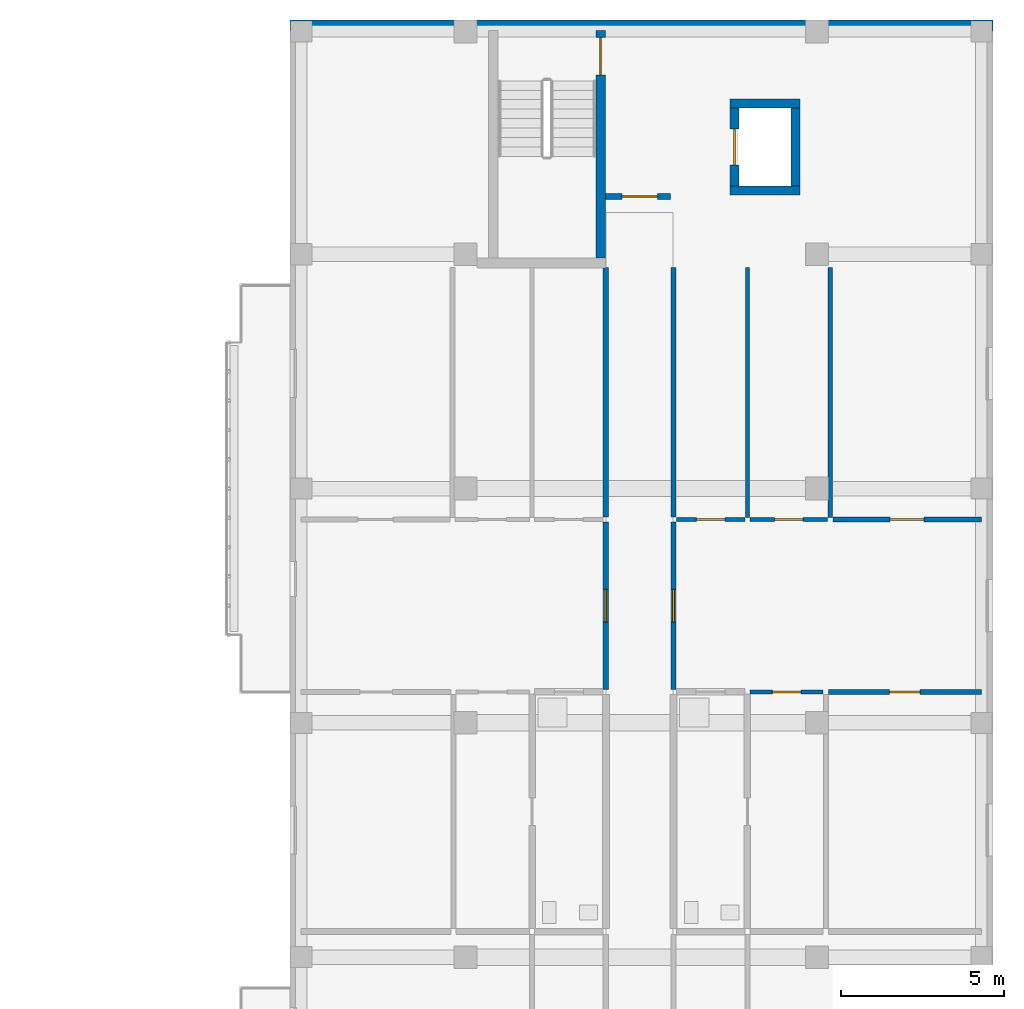
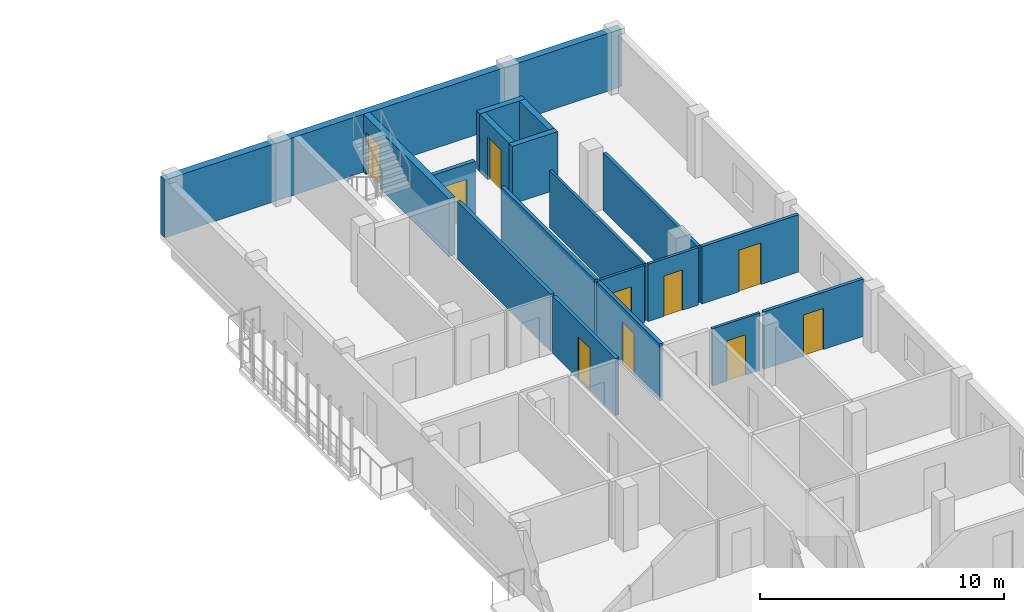
# One storey, part 36 of 51: 18 walls, 10 doors, 10 openings.
"""IFC4 building model written with IfcOpenShell, lengths in metres."""

from ifc_helpers import new_model, si_unit, derived_unit, direction, frame, frame_2d, origin, place, context, subcontext, project, spatial, rectangle, extrude, material, layer, layer_set, type_object, element, fill, save


model = new_model("IFC4")

# Units and contexts
model_context = context("Model", 3, precision=1e-05, world=origin(), true_north=direction((0.0, 1.0)))
body_context = subcontext(model_context, "Body", "Model", "MODEL_VIEW")
ifc_project = project(units=[si_unit("LENGTHUNIT", "METRE"), si_unit("AREAUNIT", "SQUARE_METRE"), si_unit("VOLUMEUNIT", "CUBIC_METRE"), si_unit("PLANEANGLEUNIT", "RADIAN"), si_unit("MASSUNIT", "GRAM", prefix="KILO"), derived_unit("THERMALTRANSMITTANCEUNIT", [(si_unit("MASSUNIT", "GRAM", prefix="KILO"), 1), (si_unit("TIMEUNIT", "SECOND"), -3), (si_unit("THERMODYNAMICTEMPERATUREUNIT", "KELVIN"), -1)])], contexts=[model_context])

# Site, building, storey
site_placement = place(None, origin())
site = spatial("IfcSite", under=ifc_project, at=site_placement, CompositionType="ELEMENT")
building_placement = place(site_placement, origin())
building = spatial("IfcBuilding", under=site, at=building_placement, Name="Ochrekiln Boulevard Commons", CompositionType="ELEMENT")
storey_placement = place(building_placement, frame((0.0, 0.0, 15.22509765625)))
storey = spatial("IfcBuildingStorey", under=building, at=storey_placement, Name="L04", CompositionType="ELEMENT", Elevation=15.22509765625)

# Wall
ifc_material_1 = material(Name="Iron-spot brown clinker brick masonry ASTM C216 Grade SW", Category="masonry")
ifc_layer_1 = layer(ifc_material_1, 0.340087890625)
ifc_layer_set_1 = layer_set([ifc_layer_1], Name="Iron-spot brown clinker brick masonry ASTM C216 Grade SW")
wall_type_1 = type_object("IfcWallType", Name="WL-EXT-IRON-340", PredefinedType="SOLIDWALL", material=ifc_layer_set_1)
wall_1_placement = place(storey_placement, frame((151.199951171875, 118.6298828125, 0.0), z_axis=(0.0, 0.0, 1.0), x_axis=(1.0, 0.0, 0.0)))
element("IfcWall", 1, at=wall_1_placement, inside=storey, type_object=wall_type_1, Name="Block B L04 N Exterior Wall", PredefinedType="SOLIDWALL", context=body_context, shape_type="SweptSolid", body=[
    extrude(rectangle(XDim=21.60009765625, YDim=0.340087890625, at=frame_2d((10.800048828125, 0.0))), origin(), (0.0, 0.0, 1.0), 2.889892578125),
])

# Wall, opening, door
ifc_material_2 = material(Name="Fire-rated Type X gypsum board on steel studs", Category="steel")
ifc_layer_2 = layer(ifc_material_2, 0.1650390625)
ifc_layer_set_2 = layer_set([ifc_layer_2], Name="Fire-rated Type X gypsum board on steel studs")
wall_type_2 = type_object("IfcWallType", Name="WL-PT-CORR-165", PredefinedType="PARTITIONING", material=ifc_layer_set_2)
wall_2_placement = place(storey_placement, frame((160.909912109375, 98.22998046875, 0.0), z_axis=(0.0, 0.0, 1.0), x_axis=(0.0, 1.0, 0.0)))
wall_2 = element("IfcWall", 2, at=wall_2_placement, inside=storey, type_object=wall_type_2, Name="L04 Interior Wall W-PC165", PredefinedType="PARTITIONING", context=body_context, shape_type="SweptSolid", body=[
    extrude(rectangle(XDim=5.14013671875, YDim=0.1650390625, at=frame_2d((2.570068359375, 0.0))), origin(), (0.0, 0.0, 1.0), 2.869873046875),
])
opening_1_placement = place(wall_2_placement, frame((2.06494140625, 0.0, 0.0)))
opening_1 = element("IfcOpeningElement", 3, at=opening_1_placement, cuts=wall_2, Name="Opening D-L04-588", PredefinedType="OPENING", context=body_context, shape_type="SweptSolid", body=[
    extrude(rectangle(XDim=1.010009765625, YDim=2.110107421875, at=frame_2d((0.5048828125, 1.05517578125))), frame((0.0, 0.092529296875, 0.0), z_axis=(0.0, -1.0, 0.0), x_axis=(1.0, 0.0, 0.0)), (0.0, 0.0, 1.0), 0.18505859375),
])
ifc_material_3 = material(Name="Solid core architectural oak door leaf")
door_type_1 = type_object("IfcDoorType", Name="DR-INT-APT-101", OperationType="NOTDEFINED", PredefinedType="DOOR", material=ifc_material_3)
door_1_placement = place(opening_1_placement, origin())
door_1 = element("IfcDoor", 4, at=door_1_placement, inside=storey, type_object=door_type_1, Name="L04 Interior Door to Two-Bedroom Apartment Living Room", OperationType="SINGLE_SWING_RIGHT", OverallHeight=2.110107421875, OverallWidth=1.010009765625, PredefinedType="DOOR", context=body_context, shape_type="SweptSolid", body=[
    extrude(rectangle(XDim=1.010009765625, YDim=2.110107421875, at=frame_2d((0.5048828125, 1.05517578125))), frame((0.0, 0.02490234375, 0.0), z_axis=(0.0, -1.0, 0.0), x_axis=(1.0, 0.0, 0.0)), (0.0, 0.0, 1.0), 0.050048828125),
])
fill(opening_1, door_1)

# Wall
wall_3_placement = place(storey_placement, frame((160.909912109375, 103.530029296875, 0.0), z_axis=(0.0, 0.0, 1.0), x_axis=(0.0, 1.0, 0.0)))
element("IfcWall", 5, at=wall_3_placement, inside=storey, type_object=wall_type_2, Name="L04 Interior Wall W-PC165", PredefinedType="PARTITIONING", context=body_context, shape_type="SweptSolid", body=[
    extrude(rectangle(XDim=7.669921875, YDim=0.1650390625, at=frame_2d((3.8349609375, 0.0))), origin(), (0.0, 0.0, 1.0), 2.869873046875),
])

# Wall, opening, door
wall_4_placement = place(storey_placement, frame((162.989990234375, 98.22998046875, 0.0), z_axis=(0.0, 0.0, 1.0), x_axis=(0.0, 1.0, 0.0)))
wall_4 = element("IfcWall", 6, at=wall_4_placement, inside=storey, type_object=wall_type_2, Name="L04 Interior Wall W-PC165", PredefinedType="PARTITIONING", context=body_context, shape_type="SweptSolid", body=[
    extrude(rectangle(XDim=5.14013671875, YDim=0.1650390625, at=frame_2d((2.570068359375, 0.0))), origin(), (0.0, 0.0, 1.0), 2.869873046875),
])
opening_2_placement = place(wall_4_placement, frame((2.06494140625, 0.0, 0.0)))
opening_2 = element("IfcOpeningElement", 7, at=opening_2_placement, cuts=wall_4, Name="Opening D-L04-590", PredefinedType="OPENING", context=body_context, shape_type="SweptSolid", body=[
    extrude(rectangle(XDim=1.010009765625, YDim=2.110107421875, at=frame_2d((0.5048828125, 1.05517578125))), frame((0.0, 0.092529296875, 0.0), z_axis=(0.0, -1.0, 0.0), x_axis=(1.0, 0.0, 0.0)), (0.0, 0.0, 1.0), 0.18505859375),
])
door_2_placement = place(opening_2_placement, frame((1.010009765625, 0.0, 0.0), z_axis=(0.0, 0.0, 1.0), x_axis=(-1.0, 0.0, 0.0)))
door_2 = element("IfcDoor", 8, at=door_2_placement, inside=storey, type_object=door_type_1, Name="L04 Interior Door to Two-Bedroom Apartment Living Room", OperationType="SINGLE_SWING_RIGHT", OverallHeight=2.110107421875, OverallWidth=1.010009765625, PredefinedType="DOOR", context=body_context, shape_type="SweptSolid", body=[
    extrude(rectangle(XDim=1.010009765625, YDim=2.110107421875, at=frame_2d((0.5048828125, 1.05517578125))), frame((0.0, 0.02490234375, 0.0), z_axis=(0.0, -1.0, 0.0), x_axis=(1.0, 0.0, 0.0)), (0.0, 0.0, 1.0), 0.050048828125),
])
fill(opening_2, door_2)

# Wall
wall_5_placement = place(storey_placement, frame((162.989990234375, 103.530029296875, 0.0), z_axis=(0.0, 0.0, 1.0), x_axis=(0.0, 1.0, 0.0)))
element("IfcWall", 9, at=wall_5_placement, inside=storey, type_object=wall_type_2, Name="L04 Interior Wall W-PC165", PredefinedType="PARTITIONING", context=body_context, shape_type="SweptSolid", body=[
    extrude(rectangle(XDim=7.669921875, YDim=0.1650390625, at=frame_2d((3.8349609375, 0.0))), origin(), (0.0, 0.0, 1.0), 2.869873046875),
])

# Wall, opening, door
ifc_layer_3 = layer(ifc_material_2, 0.18994140625)
ifc_layer_set_3 = layer_set([ifc_layer_3], Name="Fire-rated Type X gypsum board on steel studs")
wall_type_3 = type_object("IfcWallType", Name="WL-PT-LBY-190", PredefinedType="PARTITIONING", material=ifc_layer_set_3)
wall_6_placement = place(storey_placement, frame((160.89990234375, 113.3798828125, 0.0), z_axis=(0.0, 0.0, 1.0), x_axis=(1.0, 0.0, 0.0)))
wall_6 = element("IfcWall", 10, at=wall_6_placement, inside=storey, type_object=wall_type_3, Name="L04 Interior Wall W-PL190", PredefinedType="PARTITIONING", context=body_context, shape_type="SweptSolid", body=[
    extrude(rectangle(XDim=2.0, YDim=0.18994140625, at=frame_2d((1.0, 0.0))), origin(), (0.0, 0.0, 1.0), 2.869873046875),
])
opening_3_placement = place(wall_6_placement, frame((0.5, 0.0, 0.0)))
opening_3 = element("IfcOpeningElement", 11, at=opening_3_placement, cuts=wall_6, Name="Opening D-L04-585", PredefinedType="OPENING", context=body_context, shape_type="SweptSolid", body=[
    extrude(rectangle(XDim=1.10009765625, YDim=2.1201171875, at=frame_2d((0.550048828125, 1.06005859375))), frame((0.0, 0.10498046875, 0.0), z_axis=(0.0, -1.0, 0.0), x_axis=(1.0, 0.0, 0.0)), (0.0, 0.0, 1.0), 0.2099609375),
])
ifc_material_4 = material(Name="Hollow metal fire-rated steel door assembly", Category="steel")
door_type_2 = type_object("IfcDoorType", Name="DR-LOBBY-60", OperationType="NOTDEFINED", PredefinedType="DOOR", material=ifc_material_4)
door_3_placement = place(opening_3_placement, origin())
door_3 = element("IfcDoor", 12, at=door_3_placement, inside=storey, type_object=door_type_2, Name="L04 Interior Door to Fire Service Access Elevator Lobby", OperationType="SINGLE_SWING_LEFT", OverallHeight=2.1201171875, OverallWidth=1.10009765625, PredefinedType="DOOR", context=body_context, shape_type="SweptSolid", body=[
    extrude(rectangle(XDim=1.10009765625, YDim=2.1201171875, at=frame_2d((0.550048828125, 1.06005859375))), frame((0.0, 0.02490234375, 0.0), z_axis=(0.0, -1.0, 0.0), x_axis=(1.0, 0.0, 0.0)), (0.0, 0.0, 1.0), 0.050048828125),
])
fill(opening_3, door_3)

ifc_layer_4 = layer(ifc_material_2, 0.1201171875)
ifc_layer_set_4 = layer_set([ifc_layer_4], Name="Fire-rated Type X gypsum board on steel studs")
wall_type_4 = type_object("IfcWallType", Name="WL-PT-LGT-120", PredefinedType="PARTITIONING", material=ifc_layer_set_4)
wall_7_placement = place(storey_placement, frame((163.072998046875, 103.449951171875, 0.0), z_axis=(0.0, 0.0, 1.0), x_axis=(1.0, 0.0, 0.0)))
wall_7 = element("IfcWall", 13, at=wall_7_placement, inside=storey, type_object=wall_type_4, Name="L04 Interior Wall W-PL120", PredefinedType="PARTITIONING", context=body_context, shape_type="SweptSolid", body=[
    extrude(rectangle(XDim=2.10693359375, YDim=0.1201171875, at=frame_2d((1.053466796875, 0.0))), origin(), (0.0, 0.0, 1.0), 2.869873046875),
])
opening_4_placement = place(wall_7_placement, frame((0.616943359375, 0.0, 0.0)))
opening_4 = element("IfcOpeningElement", 14, at=opening_4_placement, cuts=wall_7, Name="Opening D-L04-607", PredefinedType="OPENING", context=body_context, shape_type="SweptSolid", body=[
    extrude(rectangle(XDim=0.8798828125, YDim=2.02001953125, at=frame_2d((0.43994140625, 1.010009765625))), frame((0.0, 0.070068359375, 0.0), z_axis=(0.0, -1.0, 0.0), x_axis=(1.0, 0.0, 0.0)), (0.0, 0.0, 1.0), 0.14013671875),
])
door_type_3 = type_object("IfcDoorType", Name="DR-INT-KIT-088", OperationType="NOTDEFINED", PredefinedType="DOOR", material=ifc_material_3)
door_4_placement = place(opening_4_placement, origin())
door_4 = element("IfcDoor", 15, at=door_4_placement, inside=storey, type_object=door_type_3, Name="L04 Interior Door to Apartment Kitchen", OperationType="SINGLE_SWING_LEFT", OverallHeight=2.02001953125, OverallWidth=0.8798828125, PredefinedType="DOOR", context=body_context, shape_type="SweptSolid", body=[
    extrude(rectangle(XDim=0.8798828125, YDim=2.02001953125, at=frame_2d((0.43994140625, 1.010009765625))), frame((0.0, 0.02490234375, 0.0), z_axis=(0.0, -1.0, 0.0), x_axis=(1.0, 0.0, 0.0)), (0.0, 0.0, 1.0), 0.050048828125),
])
fill(opening_4, door_4)

wall_8_placement = place(storey_placement, frame((165.340087890625, 98.14990234375, 0.0), z_axis=(0.0, 0.0, 1.0), x_axis=(1.0, 0.0, 0.0)))
wall_8 = element("IfcWall", 16, at=wall_8_placement, inside=storey, type_object=wall_type_4, Name="L04 Interior Wall W-PL120", PredefinedType="PARTITIONING", context=body_context, shape_type="SweptSolid", body=[
    extrude(rectangle(XDim=2.25, YDim=0.1201171875, at=frame_2d((1.125, 0.0))), origin(), (0.0, 0.0, 1.0), 2.869873046875),
])
opening_5_placement = place(wall_8_placement, frame((0.68505859375, 0.0, 0.0)))
opening_5 = element("IfcOpeningElement", 17, at=opening_5_placement, cuts=wall_8, Name="Opening D-L04-609", PredefinedType="OPENING", context=body_context, shape_type="SweptSolid", body=[
    extrude(rectangle(XDim=0.8798828125, YDim=2.02001953125, at=frame_2d((0.43994140625, 1.010009765625))), frame((0.0, 0.070068359375, 0.0), z_axis=(0.0, -1.0, 0.0), x_axis=(1.0, 0.0, 0.0)), (0.0, 0.0, 1.0), 0.14013671875),
])
door_5_placement = place(opening_5_placement, frame((0.8798828125, 0.0, 0.0), z_axis=(0.0, 0.0, 1.0), x_axis=(-1.0, 0.0, 0.0)))
door_5 = element("IfcDoor", 18, at=door_5_placement, inside=storey, type_object=door_type_3, Name="L04 Interior Door to Apartment Walk-In Wardrobe", OperationType="SINGLE_SWING_LEFT", OverallHeight=2.02001953125, OverallWidth=0.8798828125, PredefinedType="DOOR", context=body_context, shape_type="SweptSolid", body=[
    extrude(rectangle(XDim=0.8798828125, YDim=2.02001953125, at=frame_2d((0.43994140625, 1.010009765625))), frame((0.0, 0.02490234375, 0.0), z_axis=(0.0, -1.0, 0.0), x_axis=(1.0, 0.0, 0.0)), (0.0, 0.0, 1.0), 0.050048828125),
])
fill(opening_5, door_5)

wall_9_placement = place(storey_placement, frame((165.340087890625, 103.449951171875, 0.0), z_axis=(0.0, 0.0, 1.0), x_axis=(1.0, 0.0, 0.0)))
wall_9 = element("IfcWall", 19, at=wall_9_placement, inside=storey, type_object=wall_type_4, Name="L04 Interior Wall W-PL120", PredefinedType="PARTITIONING", context=body_context, shape_type="SweptSolid", body=[
    extrude(rectangle(XDim=2.386962890625, YDim=0.1201171875, at=frame_2d((1.193359375, 0.0))), origin(), (0.0, 0.0, 1.0), 2.869873046875),
])
opening_6_placement = place(wall_9_placement, frame((0.75390625, 0.0, 0.0)))
opening_6 = element("IfcOpeningElement", 20, at=opening_6_placement, cuts=wall_9, Name="Opening D-L04-611", PredefinedType="OPENING", context=body_context, shape_type="SweptSolid", body=[
    extrude(rectangle(XDim=0.8798828125, YDim=2.02001953125, at=frame_2d((0.43994140625, 1.010009765625))), frame((0.0, 0.070068359375, 0.0), z_axis=(0.0, -1.0, 0.0), x_axis=(1.0, 0.0, 0.0)), (0.0, 0.0, 1.0), 0.14013671875),
])
door_6_placement = place(opening_6_placement, origin())
door_6 = element("IfcDoor", 21, at=door_6_placement, inside=storey, type_object=door_type_3, Name="L04 Interior Door to Apartment Walk-In Wardrobe", OperationType="SINGLE_SWING_LEFT", OverallHeight=2.02001953125, OverallWidth=0.8798828125, PredefinedType="DOOR", context=body_context, shape_type="SweptSolid", body=[
    extrude(rectangle(XDim=0.8798828125, YDim=2.02001953125, at=frame_2d((0.43994140625, 1.010009765625))), frame((0.0, 0.02490234375, 0.0), z_axis=(0.0, -1.0, 0.0), x_axis=(1.0, 0.0, 0.0)), (0.0, 0.0, 1.0), 0.050048828125),
])
fill(opening_6, door_6)

# Wall
wall_10_placement = place(storey_placement, frame((165.260009765625, 103.510009765625, 0.0), z_axis=(0.0, 0.0, 1.0), x_axis=(0.0, 1.0, 0.0)))
element("IfcWall", 22, at=wall_10_placement, inside=storey, type_object=wall_type_4, Name="L04 Interior Wall W-PL120", PredefinedType="PARTITIONING", context=body_context, shape_type="SweptSolid", body=[
    extrude(rectangle(XDim=7.68994140625, YDim=0.1201171875, at=frame_2d((3.844970703125, 0.0))), origin(), (0.0, 0.0, 1.0), 2.869873046875),
])

# Wall, opening, door
ifc_layer_5 = layer(ifc_material_2, 0.14990234375)
ifc_layer_set_5 = layer_set([ifc_layer_5], Name="Fire-rated Type X gypsum board on steel studs")
wall_type_5 = type_object("IfcWallType", Name="WL-PT-STD-150", PredefinedType="PARTITIONING", material=ifc_layer_set_5)
wall_11_placement = place(storey_placement, frame((167.75, 98.14990234375, 0.0), z_axis=(0.0, 0.0, 1.0), x_axis=(1.0, 0.0, 0.0)))
wall_11 = element("IfcWall", 23, at=wall_11_placement, inside=storey, type_object=wall_type_5, Name="L04 Interior Wall W-PS150", PredefinedType="PARTITIONING", context=body_context, shape_type="SweptSolid", body=[
    extrude(rectangle(XDim=4.7099609375, YDim=0.14990234375, at=frame_2d((2.35498046875, 0.0))), origin(), (0.0, 0.0, 1.0), 2.869873046875),
])
opening_7_placement = place(wall_11_placement, frame((1.8798828125, 0.0, 0.0)))
opening_7 = element("IfcOpeningElement", 24, at=opening_7_placement, cuts=wall_11, Name="Opening D-L04-608", PredefinedType="OPENING", context=body_context, shape_type="SweptSolid", body=[
    extrude(rectangle(XDim=0.93994140625, YDim=2.06005859375, at=frame_2d((0.469970703125, 1.030029296875))), frame((0.0, 0.0849609375, 0.0), z_axis=(0.0, -1.0, 0.0), x_axis=(1.0, 0.0, 0.0)), (0.0, 0.0, 1.0), 0.169921875),
])
door_type_4 = type_object("IfcDoorType", Name="DR-INT-BED-094", OperationType="NOTDEFINED", PredefinedType="DOOR", material=ifc_material_3)
door_7_placement = place(opening_7_placement, frame((0.93994140625, 0.0, 0.0), z_axis=(0.0, 0.0, 1.0), x_axis=(-1.0, 0.0, 0.0)))
door_7 = element("IfcDoor", 25, at=door_7_placement, inside=storey, type_object=door_type_4, Name="L04 Interior Door to Primary Apartment Bedroom", OperationType="SINGLE_SWING_RIGHT", OverallHeight=2.06005859375, OverallWidth=0.93994140625, PredefinedType="DOOR", context=body_context, shape_type="SweptSolid", body=[
    extrude(rectangle(XDim=0.93994140625, YDim=2.06005859375, at=frame_2d((0.469970703125, 1.030029296875))), frame((0.0, 0.02490234375, 0.0), z_axis=(0.0, -1.0, 0.0), x_axis=(1.0, 0.0, 0.0)), (0.0, 0.0, 1.0), 0.050048828125),
])
fill(opening_7, door_7)

wall_12_placement = place(storey_placement, frame((167.886962890625, 103.449951171875, 0.0), z_axis=(0.0, 0.0, 1.0), x_axis=(1.0, 0.0, 0.0)))
wall_12 = element("IfcWall", 26, at=wall_12_placement, inside=storey, type_object=wall_type_5, Name="L04 Interior Wall W-PS150", PredefinedType="PARTITIONING", context=body_context, shape_type="SweptSolid", body=[
    extrude(rectangle(XDim=4.572998046875, YDim=0.14990234375, at=frame_2d((2.28662109375, 0.0))), origin(), (0.0, 0.0, 1.0), 2.869873046875),
])
opening_8_placement = place(wall_12_placement, frame((1.760986328125, 0.0, 0.0)))
opening_8 = element("IfcOpeningElement", 27, at=opening_8_placement, cuts=wall_12, Name="Opening D-L04-610", PredefinedType="OPENING", context=body_context, shape_type="SweptSolid", body=[
    extrude(rectangle(XDim=1.0400390625, YDim=2.080078125, at=frame_2d((0.52001953125, 1.0400390625))), frame((0.0, 0.0849609375, 0.0), z_axis=(0.0, -1.0, 0.0), x_axis=(1.0, 0.0, 0.0)), (0.0, 0.0, 1.0), 0.169921875),
])
door_type_5 = type_object("IfcDoorType", Name="DR-INT-BED-104", OperationType="NOTDEFINED", PredefinedType="DOOR", material=ifc_material_3)
door_8_placement = place(opening_8_placement, origin())
door_8 = element("IfcDoor", 28, at=door_8_placement, inside=storey, type_object=door_type_5, Name="L04 Interior Door to Secondary Apartment Bedroom", OperationType="SINGLE_SWING_RIGHT", OverallHeight=2.080078125, OverallWidth=1.0400390625, PredefinedType="DOOR", context=body_context, shape_type="SweptSolid", body=[
    extrude(rectangle(XDim=1.0400390625, YDim=2.080078125, at=frame_2d((0.52001953125, 1.0400390625))), frame((0.0, 0.02490234375, 0.0), z_axis=(0.0, -1.0, 0.0), x_axis=(1.0, 0.0, 0.0)), (0.0, 0.0, 1.0), 0.050048828125),
])
fill(opening_8, door_8)

# Walls
wall_13_placement = place(storey_placement, frame((167.806884765625, 103.510009765625, 0.0), z_axis=(0.0, 0.0, 1.0), x_axis=(0.0, 1.0, 0.0)))
element("IfcWall", 29, at=wall_13_placement, inside=storey, type_object=wall_type_5, Name="L04 Interior Wall W-PS150", PredefinedType="PARTITIONING", context=body_context, shape_type="SweptSolid", body=[
    extrude(rectangle(XDim=7.68994140625, YDim=0.14990234375, at=frame_2d((3.844970703125, 0.0))), origin(), (0.0, 0.0, 1.0), 2.869873046875),
])
ifc_material_5 = material(Name="Concrete C40/50", Category="concrete")
ifc_layer_6 = layer(ifc_material_5, 0.27490234375)
ifc_layer_set_6 = layer_set([ifc_layer_6], Name="Concrete C40/50")
wall_type_6 = type_object("IfcWallType", Name="WL-SH-275", PredefinedType="SHEAR", material=ifc_layer_set_6)
for number, where, z_axis, x_axis, name in (
    (30, (164.72509765625, 113.5625, 0.0), (0.0, 0.0, 1.0), (1.0, 0.0, 0.0), "Elevator FF-B2 L04 Hoistway Shear Wall"),
    (31, (164.72509765625, 116.237548828125, 0.0), (0.0, 0.0, 1.0), (1.0, 0.0, 0.0), "Elevator FF-B2 L04 Hoistway Shear Wall"),
):
    element("IfcWall", number, at=place(storey_placement, frame(where, z_axis=z_axis, x_axis=x_axis)), inside=storey, type_object=wall_type_6, Name=name, PredefinedType="SHEAR", context=body_context, shape_type="SweptSolid", body=[
        extrude(rectangle(XDim=2.14990234375, YDim=0.27490234375, at=frame_2d((1.074951171875, 0.0))), origin(), (0.0, 0.0, 1.0), 2.889892578125),
    ])

# Wall, opening, door
wall_14_placement = place(storey_placement, frame((164.862548828125, 113.699951171875, 0.0), z_axis=(0.0, 0.0, 1.0), x_axis=(0.0, 1.0, 0.0)))
wall_14 = element("IfcWall", 32, at=wall_14_placement, inside=storey, type_object=wall_type_6, Name="Elevator FF-B2 L04 Hoistway Shear Wall", PredefinedType="SHEAR", context=body_context, shape_type="SweptSolid", body=[
    extrude(rectangle(XDim=2.400146484375, YDim=0.27490234375, at=frame_2d((1.2001953125, 0.0))), origin(), (0.0, 0.0, 1.0), 2.889892578125),
])
opening_9_placement = place(wall_14_placement, frame((0.64990234375, 0.0, 0.0)))
opening_9 = element("IfcOpeningElement", 33, at=opening_9_placement, cuts=wall_14, Name="Opening LD-FF-B2-L04", PredefinedType="OPENING", context=body_context, shape_type="SweptSolid", body=[
    extrude(rectangle(XDim=1.10009765625, YDim=2.14990234375, at=frame_2d((0.550048828125, 1.074951171875))), frame((0.0, 0.1474609375, 0.0), z_axis=(0.0, -1.0, 0.0), x_axis=(1.0, 0.0, 0.0)), (0.0, 0.0, 1.0), 0.294921875),
])
ifc_material_6 = material(Name="Brushed stainless steel 316 elevator cab and doors", Category="steel")
door_type_6 = type_object("IfcDoorType", Name="DR-LIFT-LD90", OperationType="SLIDING_TO_LEFT", PredefinedType="DOOR", material=ifc_material_6)
door_9_placement = place(opening_9_placement, origin())
door_9 = element("IfcDoor", 34, at=door_9_placement, inside=storey, type_object=door_type_6, Name="Elevator FF-B2 L04 Sliding Landing Door LD-FF-B2-L04", OperationType="SLIDING_TO_LEFT", OverallHeight=2.14990234375, OverallWidth=1.10009765625, PredefinedType="DOOR", context=body_context, shape_type="SweptSolid", body=[
    extrude(rectangle(XDim=1.10009765625, YDim=2.14990234375, at=frame_2d((0.550048828125, 1.074951171875))), frame((0.0, 0.02490234375, 0.0), z_axis=(0.0, -1.0, 0.0), x_axis=(1.0, 0.0, 0.0)), (0.0, 0.0, 1.0), 0.050048828125),
])
fill(opening_9, door_9)

# Wall
wall_15_placement = place(storey_placement, frame((166.737548828125, 113.699951171875, 0.0), z_axis=(0.0, 0.0, 1.0), x_axis=(0.0, 1.0, 0.0)))
element("IfcWall", 35, at=wall_15_placement, inside=storey, type_object=wall_type_6, Name="Elevator FF-B2 L04 Hoistway Shear Wall", PredefinedType="SHEAR", context=body_context, shape_type="SweptSolid", body=[
    extrude(rectangle(XDim=2.400146484375, YDim=0.27490234375, at=frame_2d((1.2001953125, 0.0))), origin(), (0.0, 0.0, 1.0), 2.889892578125),
])

# Wall, opening, door
ifc_layer_7 = layer(ifc_material_5, 0.300048828125)
ifc_layer_set_7 = layer_set([ifc_layer_7], Name="Concrete C40/50")
wall_type_7 = type_object("IfcWallType", Name="WL-SH-300", PredefinedType="SHEAR", material=ifc_layer_set_7)
wall_16_placement = place(storey_placement, frame((160.75, 111.47998046875, 0.0), z_axis=(0.0, 0.0, 1.0), x_axis=(0.0, 1.0, 0.0)))
wall_16 = element("IfcWall", 36, at=wall_16_placement, inside=storey, type_object=wall_type_7, Name="Stair ST-B2 L04 Core Shear Wall E", PredefinedType="SHEAR", context=body_context, shape_type="SweptSolid", body=[
    extrude(rectangle(XDim=7.0, YDim=0.300048828125, at=frame_2d((3.5, 0.0))), origin(), (0.0, 0.0, 1.0), 2.889892578125),
])
opening_10_placement = place(wall_16_placement, frame((5.625, 0.0, 0.0)))
opening_10 = element("IfcOpeningElement", 37, at=opening_10_placement, cuts=wall_16, Name="Opening D-L04-ST-B2", PredefinedType="OPENING", context=body_context, shape_type="SweptSolid", body=[
    extrude(rectangle(XDim=1.14990234375, YDim=2.1201171875, at=frame_2d((0.574951171875, 1.06005859375))), frame((0.0, 0.159912109375, 0.0), z_axis=(0.0, -1.0, 0.0), x_axis=(1.0, 0.0, 0.0)), (0.0, 0.0, 1.0), 0.320068359375),
])
door_type_7 = type_object("IfcDoorType", Name="DR-STAIR-90", OperationType="NOTDEFINED", PredefinedType="DOOR", material=ifc_material_4)
door_10_placement = place(opening_10_placement, origin())
door_10 = element("IfcDoor", 38, at=door_10_placement, inside=storey, type_object=door_type_7, Name="Enclosed Exit Stair ST-B2 L04 Rated Door", OperationType="SINGLE_SWING_RIGHT", OverallHeight=2.1201171875, OverallWidth=1.14990234375, PredefinedType="DOOR", context=body_context, shape_type="SweptSolid", body=[
    extrude(rectangle(XDim=1.14990234375, YDim=2.1201171875, at=frame_2d((0.574951171875, 1.06005859375))), frame((0.0, 0.02490234375, 0.0), z_axis=(0.0, -1.0, 0.0), x_axis=(1.0, 0.0, 0.0)), (0.0, 0.0, 1.0), 0.050048828125),
])
fill(opening_10, door_10)

save(model, "model.ifc")
